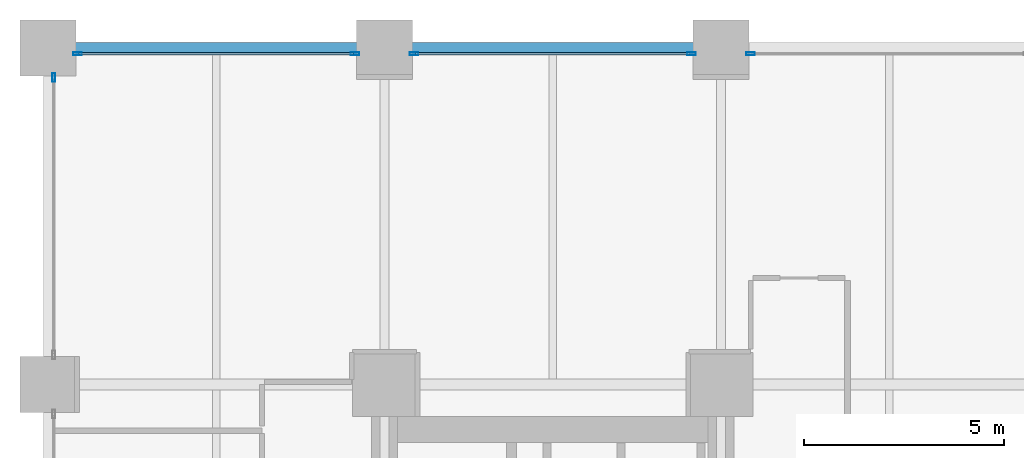
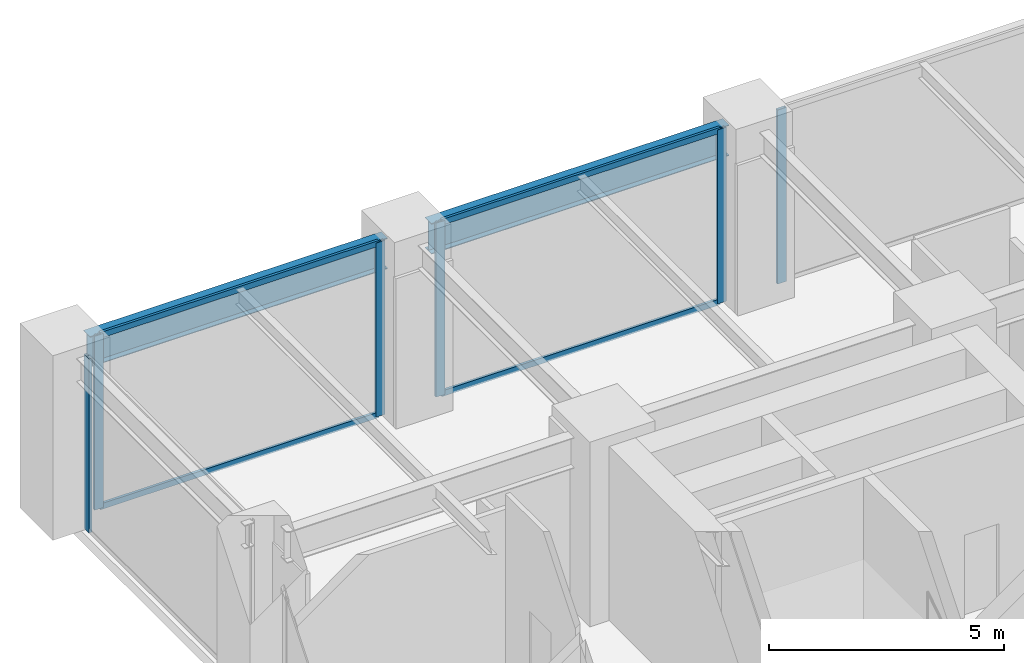
# One storey, part 12 of 23: 10 members, 2 beams, 4 elements without a shape of their own.
"""IFC4 building model written with IfcOpenShell, lengths in metres."""

from ifc_helpers import new_model, si_unit, direction, frame, origin, origin_2d, place, context, subcontext, project, spatial, hollow_rectangle, i_section, extrude, material, layer, layer_set, material_profile, profile_set, type_object, element, aggregate, save


model = new_model("IFC4")

# Units and contexts
model_context = context("Model", 3, precision=1e-05, world=origin(), true_north=direction((0.0, 1.0)))
body_context = subcontext(model_context, "Body", "Model", "MODEL_VIEW")
ifc_project = project(units=[si_unit("LENGTHUNIT", "METRE"), si_unit("AREAUNIT", "SQUARE_METRE"), si_unit("VOLUMEUNIT", "CUBIC_METRE"), si_unit("PLANEANGLEUNIT", "RADIAN"), si_unit("MASSUNIT", "GRAM", prefix="KILO")], contexts=[model_context])

# Site, building, storey
site_placement = place(None, origin())
site = spatial("IfcSite", under=ifc_project, at=site_placement, CompositionType="ELEMENT")
building_placement = place(site_placement, origin())
building = spatial("IfcBuilding", under=site, at=building_placement, Name="Nerrivon Quay Data Exchange", CompositionType="ELEMENT")
storey_placement = place(building_placement, frame((0.0, 0.0, 5.39990234375)))
storey = spatial("IfcBuildingStorey", under=building, at=storey_placement, Name="L01", CompositionType="ELEMENT", Elevation=5.39990234375)

# Beams
ifc_material_1 = material(Name="Steel Grade 350", Category="steel")
ifc_material_profile_1 = material_profile(ifc_material_1, i_section(OverallWidth=0.27490234375, OverallDepth=0.800048828125, WebThickness=0.010009765625, FlangeThickness=0.02001953125, at=origin_2d()), Name="800WB146")
ifc_profile_set_1 = profile_set([ifc_material_profile_1], Name="Steel Grade 350")
beam_type = type_object("IfcBeamType", Name="BM-G8-800WB146", PredefinedType="BEAM", material=ifc_profile_set_1)
for number, where, z_axis, x_axis, name in (
    (1, (0.5400390625, 50.39990234375, 4.125), (1.0, 0.0, 0.0), (0.0, 1.0, 0.0), "L01 EW Girder Y=50.4 (0.0..8.4)"),
    (2, (8.93994140625, 50.39990234375, 4.125), (1.0, 0.0, 0.0), (0.0, 1.0, 0.0), "L01 EW Girder Y=50.4 (8.4..16.8)"),
):
    element("IfcBeam", number, at=place(storey_placement, frame(where, z_axis=z_axis, x_axis=x_axis)), inside=storey, type_object=beam_type, Name=name, PredefinedType="BEAM", context=body_context, shape_type="SweptSolid", body=[
        extrude(i_section(OverallWidth=0.27490234375, OverallDepth=0.800048828125, WebThickness=0.010009765625, FlangeThickness=0.02001953125, at=origin_2d()), origin(), (0.0, 0.0, 1.0), 7.320068359375),
    ])

# Curtain wall, member
ifc_material_2 = material(Name="Anodised aluminium 6063-T6", Category="aluminium")
ifc_layer = layer(ifc_material_2, 0.239990234375)
ifc_layer_set = layer_set([ifc_layer], Name="Anodised aluminium 6063-T6")
curtain_wall_type = type_object("IfcCurtainWallType", Name="CW-SYS-03", PredefinedType="NOTDEFINED", material=ifc_layer_set)
curtain_wall_1_placement = place(storey_placement, origin())
curtain_wall_1 = element("IfcCurtainWall", 3, at=curtain_wall_1_placement, inside=storey, type_object=curtain_wall_type, Name="L01 Unitised Curtain Wall 6", PredefinedType="NOTDEFINED")
ifc_material_profile_2 = material_profile(ifc_material_2, hollow_rectangle(XDim=0.074951171875, YDim=0.219970703125, WallThickness=0.00390625, at=origin_2d()), Name="ALU-MULL-220x75")
ifc_profile_set_2 = profile_set([ifc_material_profile_2], Name="Anodised aluminium 6063-T6")
member_type_1 = type_object("IfcMemberType", Name="CWM-220x75", PredefinedType="MULLION", material=ifc_profile_set_2)
member_1_placement = place(storey_placement, frame((0.139892578125, 49.66259765625, 0.0), z_axis=(0.0, 0.0, 1.0), x_axis=(-1.0, 0.0, 0.0)))
member_1 = element("IfcMember", 4, at=member_1_placement, type_object=member_type_1, Name="CW03 mullion 2", PredefinedType="MULLION", context=body_context, shape_type="SweptSolid", body=[
    extrude(hollow_rectangle(XDim=0.074951171875, YDim=0.219970703125, WallThickness=0.00390625, at=origin_2d()), origin(), (0.0, 0.0, 1.0), 4.525146484375),
])
aggregate(curtain_wall_1, [member_1])

# Curtain wall, members
curtain_wall_2_placement = place(storey_placement, origin())
curtain_wall_2 = element("IfcCurtainWall", 5, at=curtain_wall_2_placement, inside=storey, type_object=curtain_wall_type, Name="L01 Unitised Curtain Wall 7", PredefinedType="NOTDEFINED")
member_2_placement = place(storey_placement, frame((0.737548828125, 50.260009765625, 0.0), z_axis=(0.0, 0.0, 1.0), x_axis=(0.0, 1.0, 0.0)))
member_2 = element("IfcMember", 6, at=member_2_placement, type_object=member_type_1, Name="CW03 mullion 1", PredefinedType="MULLION", context=body_context, shape_type="SweptSolid", body=[
    extrude(hollow_rectangle(XDim=0.074951171875, YDim=0.219970703125, WallThickness=0.00390625, at=origin_2d()), origin(), (0.0, 0.0, 1.0), 4.525146484375),
])
member_3_placement = place(storey_placement, frame((7.66259765625, 50.260009765625, 0.0), z_axis=(0.0, 0.0, 1.0), x_axis=(0.0, 1.0, 0.0)))
member_3 = element("IfcMember", 7, at=member_3_placement, type_object=member_type_1, Name="CW03 mullion 2", PredefinedType="MULLION", context=body_context, shape_type="SweptSolid", body=[
    extrude(hollow_rectangle(XDim=0.074951171875, YDim=0.219970703125, WallThickness=0.00390625, at=origin_2d()), origin(), (0.0, 0.0, 1.0), 4.525146484375),
])

curtain_wall_3_placement = place(storey_placement, origin())
curtain_wall_3 = element("IfcCurtainWall", 8, at=curtain_wall_3_placement, inside=storey, type_object=curtain_wall_type, Name="L01 Unitised Curtain Wall 8", PredefinedType="NOTDEFINED")
member_4_placement = place(storey_placement, frame((9.137451171875, 50.260009765625, 0.0), z_axis=(0.0, 0.0, 1.0), x_axis=(0.0, 1.0, 0.0)))
member_4 = element("IfcMember", 9, at=member_4_placement, type_object=member_type_1, Name="CW03 mullion 1", PredefinedType="MULLION", context=body_context, shape_type="SweptSolid", body=[
    extrude(hollow_rectangle(XDim=0.074951171875, YDim=0.219970703125, WallThickness=0.00390625, at=origin_2d()), origin(), (0.0, 0.0, 1.0), 4.525146484375),
])
member_5_placement = place(storey_placement, frame((16.0625, 50.260009765625, 0.0), z_axis=(0.0, 0.0, 1.0), x_axis=(0.0, 1.0, 0.0)))
member_5 = element("IfcMember", 10, at=member_5_placement, type_object=member_type_1, Name="CW03 mullion 2", PredefinedType="MULLION", context=body_context, shape_type="SweptSolid", body=[
    extrude(hollow_rectangle(XDim=0.074951171875, YDim=0.219970703125, WallThickness=0.00390625, at=origin_2d()), origin(), (0.0, 0.0, 1.0), 4.525146484375),
])

# Curtain wall, member
curtain_wall_4_placement = place(storey_placement, origin())
curtain_wall_4 = element("IfcCurtainWall", 11, at=curtain_wall_4_placement, inside=storey, type_object=curtain_wall_type, Name="L01 Unitised Curtain Wall 9", PredefinedType="NOTDEFINED")
member_6_placement = place(storey_placement, frame((17.53759765625, 50.260009765625, 0.0), z_axis=(0.0, 0.0, 1.0), x_axis=(0.0, 1.0, 0.0)))
member_6 = element("IfcMember", 12, at=member_6_placement, type_object=member_type_1, Name="CW03 mullion 1", PredefinedType="MULLION", context=body_context, shape_type="SweptSolid", body=[
    extrude(hollow_rectangle(XDim=0.074951171875, YDim=0.219970703125, WallThickness=0.00390625, at=origin_2d()), origin(), (0.0, 0.0, 1.0), 4.525146484375),
])
aggregate(curtain_wall_4, [member_6])

# Member
ifc_material_profile_3 = material_profile(ifc_material_2, hollow_rectangle(XDim=0.06494140625, YDim=0.14990234375, WallThickness=0.00341796875, at=origin_2d()), Name="ALU-TRAN-150x65")
ifc_profile_set_3 = profile_set([ifc_material_profile_3], Name="Anodised aluminium 6063-T6")
member_type_2 = type_object("IfcMemberType", Name="CWT-150x65", PredefinedType="USERDEFINED", material=ifc_profile_set_3)
member_7_placement = place(storey_placement, frame((0.77490234375, 50.260009765625, 0.03271484375), z_axis=(1.0, 0.0, 0.0), x_axis=(0.0, 1.0, 0.0)))
member_7 = element("IfcMember", 13, at=member_7_placement, type_object=member_type_2, Name="CW03 transom 1.1", ObjectType="TRANSOM", PredefinedType="USERDEFINED", context=body_context, shape_type="SweptSolid", body=[
    extrude(hollow_rectangle(XDim=0.06494140625, YDim=0.14990234375, WallThickness=0.00341796875, at=origin_2d()), origin(), (0.0, 0.0, 1.0), 6.85009765625),
])

member_8_placement = place(storey_placement, frame((0.77490234375, 50.260009765625, 4.49267578125), z_axis=(1.0, 0.0, 0.0), x_axis=(0.0, 1.0, 0.0)))
member_8 = element("IfcMember", 14, at=member_8_placement, type_object=member_type_2, Name="CW03 transom 1.2", ObjectType="TRANSOM", PredefinedType="USERDEFINED", context=body_context, shape_type="SweptSolid", body=[
    extrude(hollow_rectangle(XDim=0.06494140625, YDim=0.14990234375, WallThickness=0.00341796875, at=origin_2d()), origin(), (0.0, 0.0, 1.0), 6.85009765625),
])

aggregate(curtain_wall_2, [member_2, member_3, member_7, member_8])

member_9_placement = place(storey_placement, frame((9.175048828125, 50.260009765625, 0.03271484375), z_axis=(1.0, 0.0, 0.0), x_axis=(0.0, 1.0, 0.0)))
member_9 = element("IfcMember", 15, at=member_9_placement, type_object=member_type_2, Name="CW03 transom 1.1", ObjectType="TRANSOM", PredefinedType="USERDEFINED", context=body_context, shape_type="SweptSolid", body=[
    extrude(hollow_rectangle(XDim=0.06494140625, YDim=0.14990234375, WallThickness=0.00341796875, at=origin_2d()), origin(), (0.0, 0.0, 1.0), 6.849853515625),
])

member_10_placement = place(storey_placement, frame((9.175048828125, 50.260009765625, 4.49267578125), z_axis=(1.0, 0.0, 0.0), x_axis=(0.0, 1.0, 0.0)))
member_10 = element("IfcMember", 16, at=member_10_placement, type_object=member_type_2, Name="CW03 transom 1.2", ObjectType="TRANSOM", PredefinedType="USERDEFINED", context=body_context, shape_type="SweptSolid", body=[
    extrude(hollow_rectangle(XDim=0.06494140625, YDim=0.14990234375, WallThickness=0.00341796875, at=origin_2d()), origin(), (0.0, 0.0, 1.0), 6.849853515625),
])

aggregate(curtain_wall_3, [member_4, member_5, member_9, member_10])

save(model, "model.ifc")
